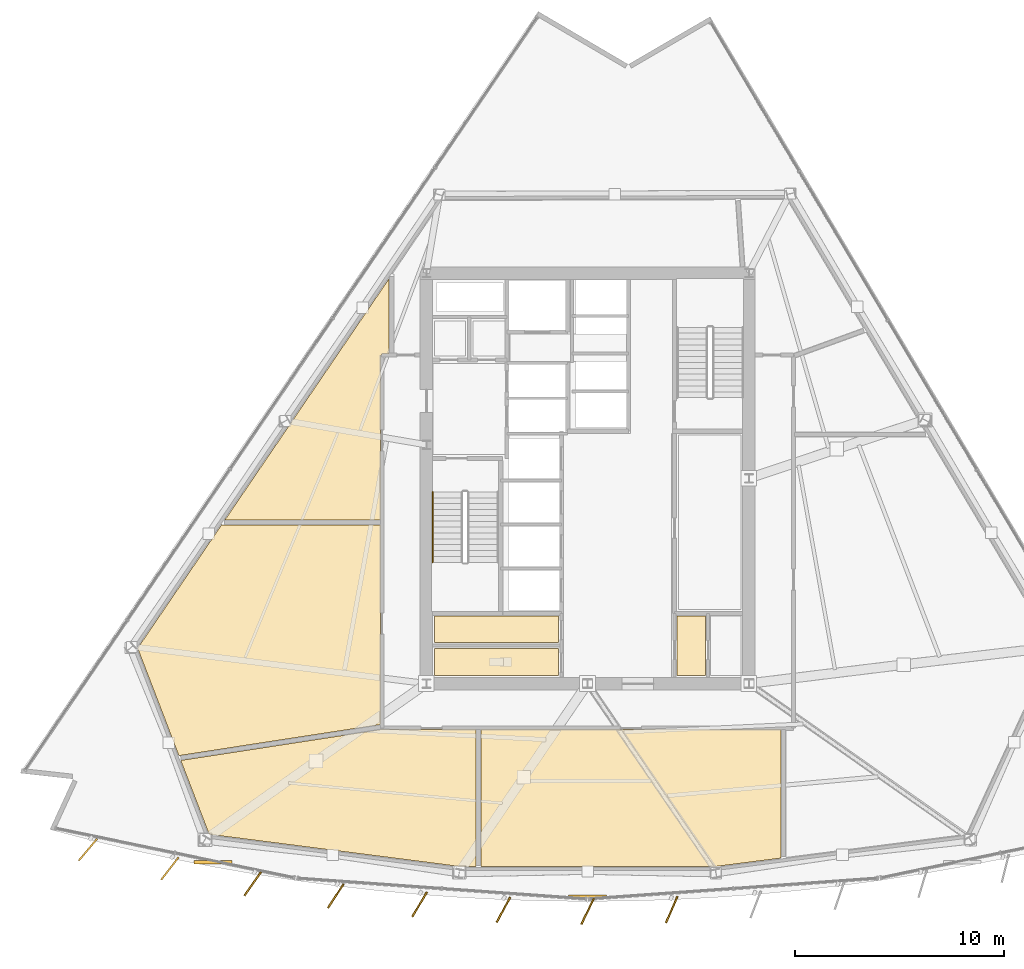
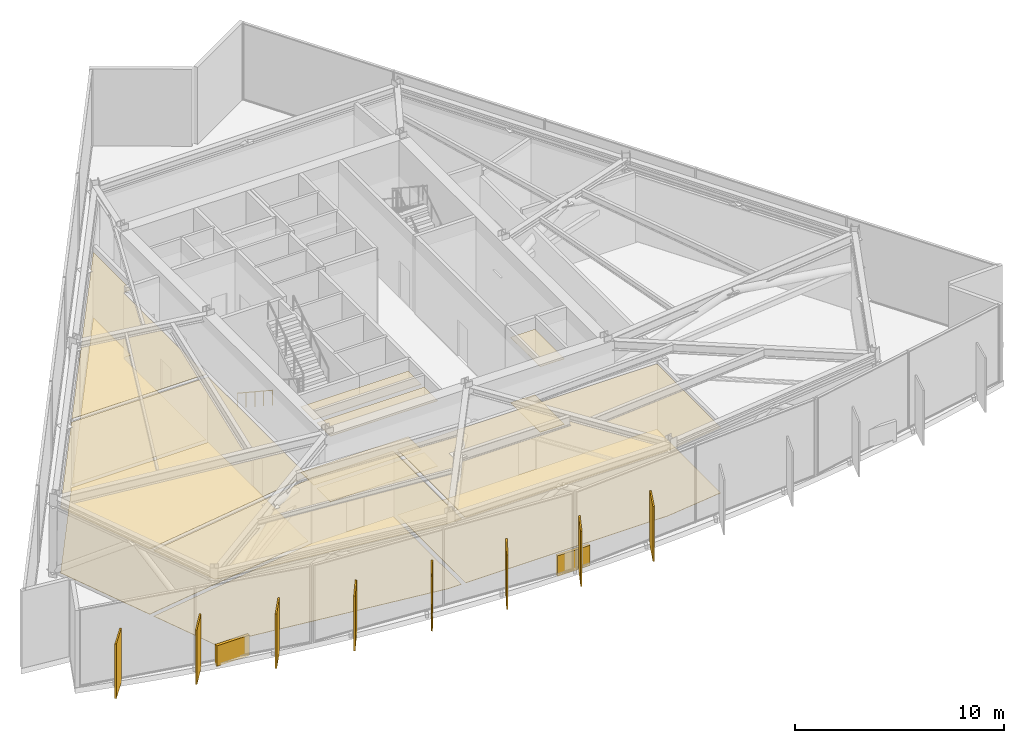
# One storey, part 11 of 14: 14 coverings, 10 shading devices, 1 railing.
"""IFC4 building model written with IfcOpenShell, lengths in metres."""

import ifcopenshell
import ifcopenshell.guid

model = None  # the IFC model being written
_history = None  # IfcOwnerHistory: only IFC2X3 demands one
_inside = {}  # id of a spatial element -> (the spatial element, [elements in it])
_under = {}  # id of a project, library or spatial element -> (it, [spatial elements below it])
_declared = {}  # id of a project -> (the project, [libraries it declares])
_typed = {}  # id of a type object -> (the type object, [elements of that type])
_made_of = {}  # id of a material, layer set ... -> (it, [elements and type objects made of it])


def new_model(schema):
    """Start an empty IFC model of exactly this schema.

    Asked for "IFC4X3", IfcOpenShell would pick the latest addendum, in which some entities
    have other attributes; the version numbers below select the first issue.
    IFC2X3 requires an IfcOwnerHistory on every rooted entity: one is made here for all.
    """
    global model, _history
    if schema == "IFC4X3":
        model = ifcopenshell.file(schema_version=(4, 3, 0, 0))
    else:
        model = ifcopenshell.file(schema=schema)
    _inside.clear()
    _under.clear()
    _declared.clear()
    _typed.clear()
    _made_of.clear()
    _history = None
    if model.schema == "IFC2X3":
        org = make("IfcOrganization", Name="unknown")
        user = make(
            "IfcPersonAndOrganization",
            ThePerson=make("IfcPerson", FamilyName="unknown"),
            TheOrganization=org,
        )
        app = make(
            "IfcApplication",
            ApplicationDeveloper=org,
            Version="unknown",
            ApplicationFullName="unknown",
            ApplicationIdentifier="unknown",
        )
        _history = make(
            "IfcOwnerHistory",
            OwningUser=user,
            OwningApplication=app,
            ChangeAction="ADDED",
            CreationDate=0,
        )
    return model


def make(cls, **values):
    """One entity of the class cls with the attributes given. An attribute that is None is left unset."""
    return model.create_entity(
        cls, **{name: value for name, value in values.items() if value is not None}
    )


def rooted(cls, **values):
    """An entity with a GlobalId (a new one), such as an element, a storey or a relation."""
    return make(cls, GlobalId=ifcopenshell.guid.new(), OwnerHistory=_history, **values)


def si_unit(unit_type, name, prefix=None):
    """IfcSIUnit, for example si_unit("LENGTHUNIT", "METRE", prefix="MILLI")."""
    return make("IfcSIUnit", UnitType=unit_type, Prefix=prefix, Name=name)


def assignment(units):
    """IfcUnitAssignment: the units of a project."""
    return None if units is None else make("IfcUnitAssignment", Units=units)


def point(xyz):
    """IfcCartesianPoint."""
    return None if xyz is None else make("IfcCartesianPoint", Coordinates=xyz)


def direction(xyz):
    """IfcDirection."""
    return None if xyz is None else make("IfcDirection", DirectionRatios=xyz)


def frame(location, z_axis=None, x_axis=None):
    """IfcAxis2Placement3D, a coordinate frame: its origin and axes. An axis left out is left unset."""
    return make(
        "IfcAxis2Placement3D",
        Location=point(location),
        Axis=direction(z_axis),
        RefDirection=direction(x_axis),
    )


def frame_2d(location, x_axis=None):
    """IfcAxis2Placement2D, a coordinate frame in the plane: its origin and x axis."""
    return make(
        "IfcAxis2Placement2D", Location=point(location), RefDirection=direction(x_axis)
    )


def origin():
    """The frame at (0, 0, 0) with its axes left unset."""
    return frame((0.0, 0.0, 0.0))


def origin_2d():
    """The frame at (0, 0) in the plane with its x axis left unset."""
    return frame_2d((0.0, 0.0))


def place(relative_to, where):
    """IfcLocalPlacement: puts the frame where relative to a parent placement (None: the world)."""
    return make(
        "IfcLocalPlacement", PlacementRelTo=relative_to, RelativePlacement=where
    )


def context(
    kind, dimensions, precision=None, world=None, true_north=None, identifier=None
):
    """IfcGeometricRepresentationContext, for example the 3D "Model" context."""
    return make(
        "IfcGeometricRepresentationContext",
        ContextIdentifier=identifier,
        ContextType=kind,
        CoordinateSpaceDimension=dimensions,
        Precision=precision,
        WorldCoordinateSystem=world,
        TrueNorth=true_north,
    )


def subcontext(parent, identifier, kind, view, scale=None):
    """IfcGeometricRepresentationSubContext, for example "Body" below "Model"."""
    return make(
        "IfcGeometricRepresentationSubContext",
        ContextIdentifier=identifier,
        ContextType=kind,
        ParentContext=parent,
        TargetScale=scale,
        TargetView=view,
    )


def project(units=None, contexts=None):
    """IfcProject with its units and contexts."""
    return rooted(
        "IfcProject",
        Name="project",
        RepresentationContexts=contexts,
        UnitsInContext=assignment(units),
    )


def spatial(cls, under=None, at=None, **own):
    """A site, building, storey or space (cls), placed at a placement, below another one or the project."""
    s = rooted(cls, ObjectPlacement=at, **own)
    if under is not None:
        _under.setdefault(under.id(), (under, []))[1].append(s)
    return s


def polyline(points):
    """IfcPolyline through the points."""
    return make("IfcPolyline", Points=[point(p) for p in points])


def profile(cls, at=None, kind="AREA", **sizes):
    """A parametric profile (cls). Its sizes go by their IFC names, for example OverallWidth=200.0."""
    return make(cls, ProfileType=kind, Position=at, **sizes)


def rectangle(**sizes):
    """IfcRectangleProfileDef."""
    return profile("IfcRectangleProfileDef", **sizes)


def circle(**sizes):
    """IfcCircleProfileDef."""
    return profile("IfcCircleProfileDef", **sizes)


def outline(outer, holes=None, kind="AREA"):
    """IfcArbitraryClosedProfileDef: a profile drawn as a closed curve; with holes, ...WithVoids."""
    if holes is None:
        return make("IfcArbitraryClosedProfileDef", ProfileType=kind, OuterCurve=outer)
    return make(
        "IfcArbitraryProfileDefWithVoids",
        ProfileType=kind,
        OuterCurve=outer,
        InnerCurves=holes,
    )


def extrude(swept, where, along, depth):
    """IfcExtrudedAreaSolid: the profile swept, set in the frame where, extruded along a direction by depth."""
    return make(
        "IfcExtrudedAreaSolid",
        SweptArea=swept,
        Position=where,
        ExtrudedDirection=direction(along),
        Depth=depth,
    )


def shape(context_of_items, identifier, shape_type, items):
    """IfcShapeRepresentation: the items that make up one representation, for example the "Body"."""
    return make(
        "IfcShapeRepresentation",
        ContextOfItems=context_of_items,
        RepresentationIdentifier=identifier,
        RepresentationType=shape_type,
        Items=items,
    )


def material(Name=None, Category=None):
    """IfcMaterial."""
    return make("IfcMaterial", Name=Name, Category=Category)


def layer(
    of_material, thickness, ventilated=None, Name=None, Category=None, Priority=None
):
    """IfcMaterialLayer: one layer of a wall or slab, of a material (None: an air gap)."""
    return make(
        "IfcMaterialLayer",
        Material=of_material,
        LayerThickness=thickness,
        IsVentilated=ventilated,
        Name=Name,
        Category=Category,
        Priority=Priority,
    )


def layer_set(layers, Name=None):
    """IfcMaterialLayerSet."""
    return make("IfcMaterialLayerSet", MaterialLayers=layers, LayerSetName=Name)


def made_of(thing, what):
    """Note that an element or type object is made of a material, layer set ...; save() writes the relation."""
    if what is not None:
        _made_of.setdefault(what.id(), (what, []))[1].append(thing)
    return thing


def type_object(cls, material=None, **own):
    """A type object (cls), such as IfcWallType, which elements share."""
    return made_of(rooted(cls, **own), material)


def element(
    cls,
    number,
    at=None,
    inside=None,
    cuts=None,
    type_object=None,
    material=None,
    context=None,
    identifier="Body",
    shape_type=None,
    held_by="IfcProductDefinitionShape",
    body=None,
    shapes=None,
    **own,
):
    """One element of the class cls, such as IfcWall. Its Tag is "e" and its number.

    at: its placement. inside: the storey or other place that contains it. cuts: it is an
    opening in that element (IfcRelVoidsElement). A single representation is given by context,
    identifier, shape_type and body (its items); several are given by shapes. held_by: the class
    of the entity that holds the representations. save() writes the other relations.
    """
    e = rooted(cls, Tag="e%d" % number, ObjectPlacement=at, **own)
    if body is not None:
        shapes = [shape(context, identifier, shape_type, body)]
    if shapes is not None:
        e.Representation = make(held_by, Representations=shapes)
    if inside is not None:
        _inside.setdefault(inside.id(), (inside, []))[1].append(e)
    if cuts is not None:
        rooted(
            "IfcRelVoidsElement", RelatingBuildingElement=cuts, RelatedOpeningElement=e
        )
    if type_object is not None:
        _typed.setdefault(type_object.id(), (type_object, []))[1].append(e)
    return made_of(e, material)


def aggregate(whole, parts):
    """IfcRelAggregates: a whole, such as a stair, and the parts it consists of."""
    return rooted("IfcRelAggregates", RelatingObject=whole, RelatedObjects=parts)


def save(model, path):
    """Write the relations noted so far, then the file.

    IfcRelAggregates (storeys below a building ...), IfcRelContainedInSpatialStructure (elements
    in a storey), IfcRelDefinesByType, IfcRelAssociatesMaterial and IfcRelDeclares: one each for
    every whole, place, type object, material and project.
    """
    for whole, parts in _under.values():
        aggregate(whole, parts)
    for where, things in _inside.values():
        rooted(
            "IfcRelContainedInSpatialStructure",
            RelatedElements=things,
            RelatingStructure=where,
        )
    for kind, things in _typed.values():
        rooted("IfcRelDefinesByType", RelatedObjects=things, RelatingType=kind)
    for what, things in _made_of.values():
        rooted("IfcRelAssociatesMaterial", RelatedObjects=things, RelatingMaterial=what)
    for by, libraries in _declared.values():
        rooted("IfcRelDeclares", RelatingContext=by, RelatedDefinitions=libraries)
    model.write(path)


model = new_model("IFC4")

# Units and contexts
model_context = context("Model", 3, precision=1e-05, world=origin(), true_north=direction((0.0, 1.0)))
body_context = subcontext(model_context, "Body", "Model", "MODEL_VIEW")
ifc_project = project(units=[si_unit("LENGTHUNIT", "METRE"), si_unit("AREAUNIT", "SQUARE_METRE"), si_unit("VOLUMEUNIT", "CUBIC_METRE"), si_unit("PLANEANGLEUNIT", "RADIAN"), si_unit("MASSUNIT", "GRAM", prefix="KILO")], contexts=[model_context])

# Site, building, storey
site_placement = place(None, origin())
site = spatial("IfcSite", under=ifc_project, at=site_placement, CompositionType="ELEMENT")
building_placement = place(site_placement, origin())
building = spatial("IfcBuilding", under=site, at=building_placement, Name="Savorim Split Tower", CompositionType="ELEMENT")
storey_placement = place(building_placement, frame((0.0, 0.0, 129.300048828125)))
storey = spatial("IfcBuildingStorey", under=building, at=storey_placement, Name="L34", CompositionType="ELEMENT", Elevation=129.300048828125)

# Coverings
ifc_material_1 = material(Name="Mineral Fibre Acoustic Ceiling")
ifc_layer_1 = layer(ifc_material_1, 0.02490234375)
ifc_layer_set_1 = layer_set([ifc_layer_1], Name="COV-CEIL-25")
covering_type_1 = type_object("IfcCoveringType", Name="COV-CEIL-25", PredefinedType="CEILING", material=ifc_layer_set_1)
covering_1_placement = place(storey_placement, frame((0.0, 0.0, 3.820068359375)))
element("IfcCovering", 1, at=covering_1_placement, inside=storey, type_object=covering_type_1, Name="L34 Smoke Control Plant Room Acoustic Ceiling", PredefinedType="CEILING", context=body_context, shape_type="SweptSolid", body=[
    extrude(outline(polyline([(-7.320068359375, -6.179931640625), (-7.320068359375, -7.43994140625), (-1.3798828125, -7.43994140625), (-1.3798828125, -6.179931640625), (-7.320068359375, -6.179931640625)])), origin(), (0.0, 0.0, 1.0), 0.02490234375),
])
covering_2_placement = place(storey_placement, frame((0.0, 0.0, 3.820068359375)))
element("IfcCovering", 2, at=covering_2_placement, inside=storey, type_object=covering_type_1, Name="L34 Public WC Acoustic Ceiling", PredefinedType="CEILING", context=body_context, shape_type="SweptSolid", body=[
    extrude(outline(polyline([(-7.320068359375, -7.719970703125), (-7.320068359375, -9.02001953125), (-1.3798828125, -9.02001953125), (-1.3798828125, -7.719970703125), (-7.320068359375, -7.719970703125)])), origin(), (0.0, 0.0, 1.0), 0.02490234375),
])
covering_3_placement = place(storey_placement, frame((0.0, 0.0, 3.820068359375)))
element("IfcCovering", 3, at=covering_3_placement, inside=storey, type_object=covering_type_1, Name="L34 Electrical Switch Plant Room Acoustic Ceiling", PredefinedType="CEILING", context=body_context, shape_type="SweptSolid", body=[
    extrude(outline(polyline([(4.280029296875, -6.179931640625), (4.280029296875, -9.02001953125), (5.6201171875, -9.02001953125), (5.6201171875, -6.179931640625), (4.280029296875, -6.179931640625)])), origin(), (0.0, 0.0, 1.0), 0.02490234375),
])
covering_4_placement = place(storey_placement, frame((0.0, 0.0, 3.820068359375)))
element("IfcCovering", 4, at=covering_4_placement, inside=storey, type_object=covering_type_1, Name="L34 Refuge Area West Acoustic Ceiling", PredefinedType="CEILING", context=body_context, shape_type="SweptSolid", body=[
    extrude(outline(polyline([(-17.44970703125, -1.819091796875), (-17.44970703125, -1.78662109375), (-21.480712890625, -7.712158203125), (-19.510009765625, -12.839599609375), (-9.9052734375, -11.358642578125), (-9.889892578125, -11.356201171875), (-9.889892578125, -1.819091796875), (-17.32958984375, -1.819091796875), (-17.44970703125, -1.819091796875)])), origin(), (0.0, 0.0, 1.0), 0.02490234375),
])
covering_5_placement = place(storey_placement, frame((0.0, 0.0, 3.820068359375)))
element("IfcCovering", 5, at=covering_5_placement, inside=storey, type_object=covering_type_1, Name="L34 AHU Mechanical Plant Room 1 Acoustic Ceiling", PredefinedType="CEILING", context=body_context, shape_type="SweptSolid", body=[
    extrude(outline(polyline([(-19.422119140625, -13.068603515625), (-18.06640625, -16.59619140625), (-6.1044921875, -18.1318359375), (-5.3369140625, -18.1318359375), (-5.3369140625, -11.590087890625), (-9.75, -11.590087890625), (-9.763671875, -11.58935546875), (-9.77734375, -11.58740234375), (-9.79052734375, -11.583984375), (-9.791015625, -11.583984375), (-19.397216796875, -13.06494140625), (-19.422119140625, -13.068603515625)])), origin(), (0.0, 0.0, 1.0), 0.02490234375),
])
covering_6_placement = place(storey_placement, frame((0.0, 0.0, 3.820068359375)))
element("IfcCovering", 6, at=covering_6_placement, inside=storey, type_object=covering_type_1, Name="L34 Refuge Area North-West Acoustic Ceiling", PredefinedType="CEILING", context=body_context, shape_type="SweptSolid", body=[
    extrude(outline(polyline([(-5.096923828125, -18.081787109375), (-5.096923828125, -18.1318359375), (6.1044921875, -18.1318359375), (9.231201171875, -17.73046875), (9.231201171875, -11.590087890625), (-5.096923828125, -11.590087890625), (-5.096923828125, -18.081787109375)])), origin(), (0.0, 0.0, 1.0), 0.02490234375),
])
covering_7_placement = place(storey_placement, frame((0.0, 0.0, 3.820068359375)))
element("IfcCovering", 7, at=covering_7_placement, inside=storey, type_object=covering_type_1, Name="L34 Booster Pump Plant Room 1 Acoustic Ceiling", PredefinedType="CEILING", context=body_context, shape_type="SweptSolid", body=[
    extrude(outline(polyline([(-9.75, 6.340087890625), (-9.47119140625, 6.340087890625), (-9.47119140625, 9.94140625), (-14.21044921875, 2.974853515625), (-14.22998046875, 2.9462890625), (-14.22998046875, 2.9189453125), (-14.24853515625, 2.9189453125), (-17.308349609375, -1.5791015625), (-9.889892578125, -1.5791015625), (-9.889892578125, 6.199951171875), (-9.889404296875, 6.213623046875), (-9.88720703125, 6.227294921875), (-9.884033203125, 6.240478515625), (-9.87939453125, 6.253662109375), (-9.87353515625, 6.26611328125), (-9.866455078125, 6.27783203125), (-9.858154296875, 6.288818359375), (-9.84912109375, 6.299072265625), (-9.8388671875, 6.30810546875), (-9.827880859375, 6.31640625), (-9.81591796875, 6.323486328125), (-9.8037109375, 6.329345703125), (-9.79052734375, 6.333984375), (-9.77734375, 6.33740234375), (-9.763671875, 6.33935546875), (-9.75, 6.340087890625)])), origin(), (0.0, 0.0, 1.0), 0.02490234375),
])
ifc_material_2 = material(Name="Porcelain Stoneware Flooring", Category="masonry")
ifc_layer_2 = layer(ifc_material_2, 0.02001953125)
ifc_layer_set_2 = layer_set([ifc_layer_2], Name="COV-FLOR-20")
covering_type_2 = type_object("IfcCoveringType", Name="COV-FLOR-20", PredefinedType="FLOORING", material=ifc_layer_set_2)
covering_8_placement = place(storey_placement, origin())
element("IfcCovering", 8, at=covering_8_placement, inside=storey, type_object=covering_type_2, Name="L34 Smoke Control Plant Room Porcelain Flooring", PredefinedType="FLOORING", context=body_context, shape_type="SweptSolid", body=[
    extrude(outline(polyline([(-7.320068359375, -6.179931640625), (-7.320068359375, -7.43994140625), (-1.3798828125, -7.43994140625), (-1.3798828125, -6.179931640625), (-7.320068359375, -6.179931640625)])), origin(), (0.0, 0.0, 1.0), 0.02001953125),
])
covering_9_placement = place(storey_placement, origin())
element("IfcCovering", 9, at=covering_9_placement, inside=storey, type_object=covering_type_2, Name="L34 Public WC Porcelain Flooring", PredefinedType="FLOORING", context=body_context, shape_type="SweptSolid", body=[
    extrude(outline(polyline([(-7.320068359375, -7.719970703125), (-7.320068359375, -9.02001953125), (-1.3798828125, -9.02001953125), (-1.3798828125, -7.719970703125), (-7.320068359375, -7.719970703125)])), origin(), (0.0, 0.0, 1.0), 0.02001953125),
])
covering_10_placement = place(storey_placement, origin())
element("IfcCovering", 10, at=covering_10_placement, inside=storey, type_object=covering_type_2, Name="L34 Electrical Switch Plant Room Porcelain Flooring", PredefinedType="FLOORING", context=body_context, shape_type="SweptSolid", body=[
    extrude(outline(polyline([(4.280029296875, -6.179931640625), (4.280029296875, -9.02001953125), (5.6201171875, -9.02001953125), (5.6201171875, -6.179931640625), (4.280029296875, -6.179931640625)])), origin(), (0.0, 0.0, 1.0), 0.02001953125),
])
covering_11_placement = place(storey_placement, origin())
element("IfcCovering", 11, at=covering_11_placement, inside=storey, type_object=covering_type_2, Name="L34 Refuge Area West Porcelain Flooring", PredefinedType="FLOORING", context=body_context, shape_type="SweptSolid", body=[
    extrude(outline(polyline([(-17.44970703125, -1.819091796875), (-17.44970703125, -1.78662109375), (-21.480712890625, -7.712158203125), (-19.510009765625, -12.839599609375), (-9.9052734375, -11.358642578125), (-9.889892578125, -11.356201171875), (-9.889892578125, -1.819091796875), (-17.32958984375, -1.819091796875), (-17.44970703125, -1.819091796875)])), origin(), (0.0, 0.0, 1.0), 0.02001953125),
])
covering_12_placement = place(storey_placement, origin())
element("IfcCovering", 12, at=covering_12_placement, inside=storey, type_object=covering_type_2, Name="L34 AHU Mechanical Plant Room 1 Porcelain Flooring", PredefinedType="FLOORING", context=body_context, shape_type="SweptSolid", body=[
    extrude(outline(polyline([(-19.422119140625, -13.068603515625), (-18.06640625, -16.59619140625), (-6.1044921875, -18.1318359375), (-5.3369140625, -18.1318359375), (-5.3369140625, -11.590087890625), (-9.75, -11.590087890625), (-9.763671875, -11.58935546875), (-9.77734375, -11.58740234375), (-9.79052734375, -11.583984375), (-9.791015625, -11.583984375), (-19.397216796875, -13.06494140625), (-19.422119140625, -13.068603515625)])), origin(), (0.0, 0.0, 1.0), 0.02001953125),
])
covering_13_placement = place(storey_placement, origin())
element("IfcCovering", 13, at=covering_13_placement, inside=storey, type_object=covering_type_2, Name="L34 Refuge Area North-West Porcelain Flooring", PredefinedType="FLOORING", context=body_context, shape_type="SweptSolid", body=[
    extrude(outline(polyline([(-5.096923828125, -18.081787109375), (-5.096923828125, -18.1318359375), (6.1044921875, -18.1318359375), (9.231201171875, -17.73046875), (9.231201171875, -11.590087890625), (-5.096923828125, -11.590087890625), (-5.096923828125, -18.081787109375)])), origin(), (0.0, 0.0, 1.0), 0.02001953125),
])
covering_14_placement = place(storey_placement, origin())
element("IfcCovering", 14, at=covering_14_placement, inside=storey, type_object=covering_type_2, Name="L34 Booster Pump Plant Room 1 Porcelain Flooring", PredefinedType="FLOORING", context=body_context, shape_type="SweptSolid", body=[
    extrude(outline(polyline([(-9.75, 6.340087890625), (-9.47119140625, 6.340087890625), (-9.47119140625, 9.94140625), (-14.21044921875, 2.974853515625), (-14.22998046875, 2.9462890625), (-14.22998046875, 2.9189453125), (-14.24853515625, 2.9189453125), (-17.308349609375, -1.5791015625), (-9.889892578125, -1.5791015625), (-9.889892578125, 6.199951171875), (-9.889404296875, 6.213623046875), (-9.88720703125, 6.227294921875), (-9.884033203125, 6.240478515625), (-9.87939453125, 6.253662109375), (-9.87353515625, 6.26611328125), (-9.866455078125, 6.27783203125), (-9.858154296875, 6.288818359375), (-9.84912109375, 6.299072265625), (-9.8388671875, 6.30810546875), (-9.827880859375, 6.31640625), (-9.81591796875, 6.323486328125), (-9.8037109375, 6.329345703125), (-9.79052734375, 6.333984375), (-9.77734375, 6.33740234375), (-9.763671875, 6.33935546875), (-9.75, 6.340087890625)])), origin(), (0.0, 0.0, 1.0), 0.02001953125),
])

# Railing
ifc_material_3 = material(Name="Galvanised Painted Steel Balustrade", Category="steel")
railing_type = type_object("IfcRailingType", Name="RLG-HR-900", PredefinedType="HANDRAIL", material=ifc_material_3)
railing_placement = place(storey_placement, frame((-7.39990234375, -0.25, 0.1845703125)))
element("IfcRailing", 15, at=railing_placement, inside=storey, type_object=railing_type, Name="L34 ST-1 stair handrail 1", PredefinedType="HANDRAIL", context=body_context, shape_type="SweptSolid", body=[
    extrude(circle(Radius=0.02392578125, at=origin_2d()), frame((0.0, 0.0, 0.8759765625), z_axis=(0.0, -0.834876476806, 0.550437342915), x_axis=(1.0, 0.0, 0.0)), (0.0, 0.0, 1.0), 4.024658203125),
    extrude(circle(Radius=0.02099609375, at=origin_2d()), origin(), (0.0, 0.0, 1.0), 0.851806640625),
    extrude(circle(Radius=0.02099609375, at=origin_2d()), frame((0.0, -0.840087890625, 0.5537109375)), (0.0, 0.0, 1.0), 0.851806640625),
    extrude(circle(Radius=0.02099609375, at=origin_2d()), frame((0.0, -1.68017578125, 1.107666015625)), (0.0, 0.0, 1.0), 0.851806640625),
    extrude(circle(Radius=0.02099609375, at=origin_2d()), frame((0.0, -2.52001953125, 1.66162109375)), (0.0, 0.0, 1.0), 0.851806640625),
    extrude(circle(Radius=0.02099609375, at=origin_2d()), frame((0.0, -3.360107421875, 2.21533203125)), (0.0, 0.0, 1.0), 0.851806640625),
])

# Shading devices
ifc_material_4 = material(Name="Terracotta Ceramic-Coated Aluminium Fin", Category="masonry")
shading_device_type_1 = type_object("IfcShadingDeviceType", Name="SHD-FIN-1360", PredefinedType="USERDEFINED", material=ifc_material_4)
for number, where, z_axis, x_axis, name in (
    (16, (-23.85595703125, -17.333740234375, -0.2001953125), (0.0, 0.0, 1.0), (-0.643719022682, -0.765261928909, 0.0), "L34 Sawtooth Shading Fin 01"),
    (17, (-19.94140625, -18.22998046875, -0.2001953125), (0.0, 0.0, 1.0), (-0.611868076908, -0.790959832394, 0.0), "L34 Sawtooth Shading Fin 02"),
    (18, (-15.993408203125, -18.965576171875, -0.2001953125), (0.0, 0.0, 1.0), (-0.578993757737, -0.815331974414, 0.0), "L34 Sawtooth Shading Fin 03"),
    (19, (-12.0185546875, -19.538818359375, -0.2001953125), (0.0, 0.0, 1.0), (-0.545148321708, -0.838339613366, 0.0), "L34 Sawtooth Shading Fin 04"),
    (20, (-8.0234375, -19.948974609375, -0.2001953125), (0.0, 0.0, 1.0), (-0.510391336723, -0.859942255851, 0.0), "L34 Sawtooth Shading Fin 05"),
    (21, (-4.01513671875, -20.1953125, -0.2001953125), (0.0, 0.0, 1.0), (-0.474778051978, -0.880105562623, 0.0), "L34 Sawtooth Shading Fin 06"),
    (22, (0.0, -20.277587890625, -0.2001953125), (0.0, 0.0, 1.0), (-0.438371146789, -0.898794046299, 0.0), "L34 Sawtooth Shading Fin 07"),
    (23, (4.01513671875, -20.1953125, -0.2001953125), (0.0, 0.0, 1.0), (-0.401230091723, -0.915977299662, 0.0), "L34 Sawtooth Shading Fin 08"),
):
    element("IfcShadingDevice", number, at=place(storey_placement, frame(where, z_axis=z_axis, x_axis=x_axis)), inside=storey, type_object=shading_device_type_1, Name=name, ObjectType="FIN", PredefinedType="USERDEFINED", context=body_context, shape_type="SweptSolid", body=[
        extrude(rectangle(XDim=1.360107421875, YDim=0.080078125, at=origin_2d()), origin(), (0.0, 0.0, 1.0), 3.199951171875),
    ])
ifc_material_5 = material(Name="Charcoal Anodised Aluminium", Category="aluminium")
shading_device_type_2 = type_object("IfcShadingDeviceType", Name="SHD-LVR-1800", PredefinedType="USERDEFINED", material=ifc_material_5)
for number, where, z_axis, x_axis, name in (
    (24, (-17.8837890625, -17.93017578125, -0.14990234375), (0.0, 0.0, 1.0), (1.0, 0.0, 0.0), "L34 Plant Acoustic Louvre 1"),
    (25, (0.0, -19.58154296875, -0.14990234375), (0.0, 0.0, 1.0), (1.0, 0.0, 0.0), "L34 Plant Acoustic Louvre 2"),
):
    element("IfcShadingDevice", number, at=place(storey_placement, frame(where, z_axis=z_axis, x_axis=x_axis)), inside=storey, type_object=shading_device_type_2, Name=name, ObjectType="LOUVRE", PredefinedType="USERDEFINED", context=body_context, shape_type="SweptSolid", body=[
        extrude(rectangle(XDim=1.800048828125, YDim=0.159912109375, at=origin_2d()), origin(), (0.0, 0.0, 1.0), 1.199951171875),
    ])

save(model, "model.ifc")
